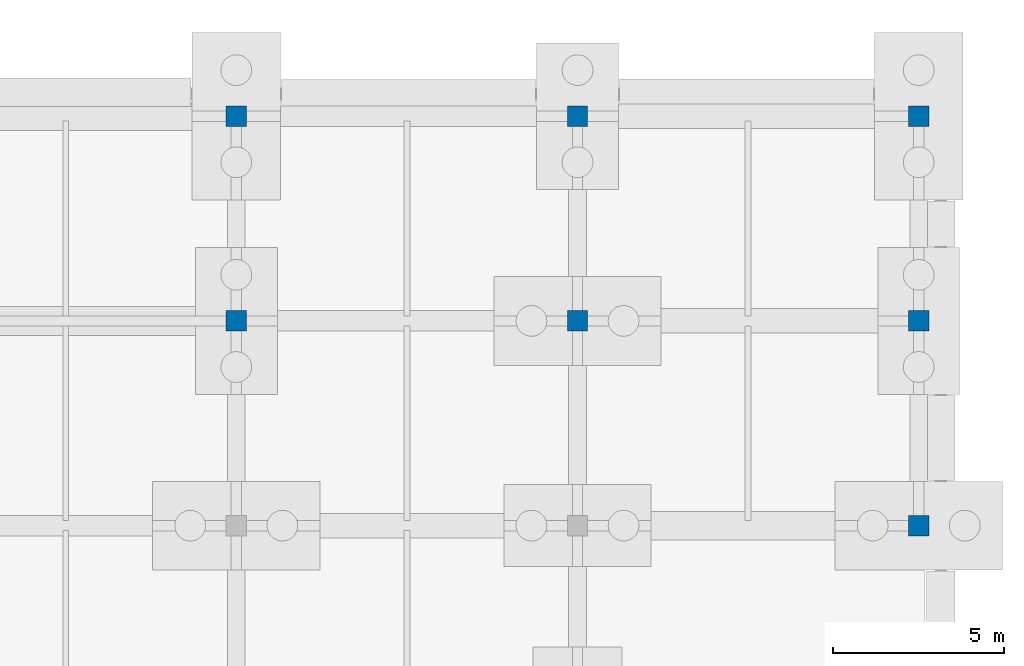
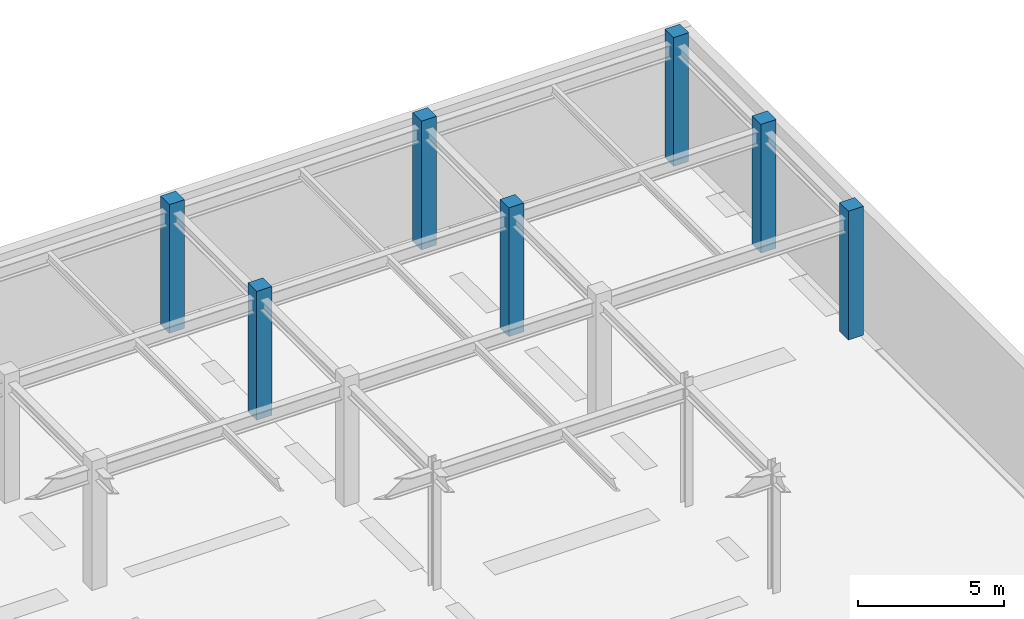
# One storey, part 33 of 65: 7 columns.
"""IFC4 building model written with IfcOpenShell, lengths in metres."""

from ifc_helpers import new_model, si_unit, direction, frame, origin, origin_2d, place, context, subcontext, project, spatial, rectangle, extrude, material, material_profile, profile_set, type_object, element, save


model = new_model("IFC4")

# Units and contexts
model_context = context("Model", 3, precision=1e-05, world=origin(), true_north=direction((0.0, 1.0)))
body_context = subcontext(model_context, "Body", "Model", "MODEL_VIEW")
ifc_project = project(units=[si_unit("LENGTHUNIT", "METRE"), si_unit("AREAUNIT", "SQUARE_METRE"), si_unit("VOLUMEUNIT", "CUBIC_METRE"), si_unit("PLANEANGLEUNIT", "RADIAN"), si_unit("MASSUNIT", "GRAM", prefix="KILO")], contexts=[model_context])

# Site, building, storey
site_placement = place(None, origin())
site = spatial("IfcSite", under=ifc_project, at=site_placement, CompositionType="ELEMENT")
building_placement = place(site_placement, origin())
building = spatial("IfcBuilding", under=site, at=building_placement, Name="Kaldris Quays Convention Centre", CompositionType="ELEMENT")
storey_placement = place(building_placement, frame((0.0, 0.0, -5.39990234375)))
storey = spatial("IfcBuildingStorey", under=building, at=storey_placement, Name="B1", CompositionType="ELEMENT", Elevation=-5.39990234375)

# Columns
ifc_material = material(Name="Concrete C40/50", Category="concrete")
ifc_material_profile = material_profile(ifc_material, rectangle(XDim=0.60009765625, YDim=0.60009765625, at=origin_2d()), Name="RC 600x600")
ifc_profile_set = profile_set([ifc_material_profile], Name="Concrete C40/50")
column_type = type_object("IfcColumnType", Name="STRUCTURAL COLUMN CL15", PredefinedType="COLUMN", material=ifc_profile_set)
for number, where, z_axis, x_axis, name in (
    (1, (184.0, 128.0, 0.0), (0.0, 0.0, 1.0), (1.0, 0.0, 0.0), "B1 V4 Column CL15 (184.00, 128.00)"),
    (2, (184.0, 134.0, 0.0), (0.0, 0.0, 1.0), (1.0, 0.0, 0.0), "B1 V4 Column CL15 (184.00, 134.00)"),
    (3, (194.0, 128.0, 0.0), (0.0, 0.0, 1.0), (1.0, 0.0, 0.0), "B1 V4 Column CL15 (194.00, 128.00)"),
    (4, (194.0, 134.0, 0.0), (0.0, 0.0, 1.0), (1.0, 0.0, 0.0), "B1 V4 Column CL15 (194.00, 134.00)"),
    (5, (204.0, 122.0, 0.0), (0.0, 0.0, 1.0), (1.0, 0.0, 0.0), "B1 V4 Column CL15 (204.00, 122.00)"),
    (6, (204.0, 128.0, 0.0), (0.0, 0.0, 1.0), (1.0, 0.0, 0.0), "B1 V4 Column CL15 (204.00, 128.00)"),
    (7, (204.0, 134.0, 0.0), (0.0, 0.0, 1.0), (1.0, 0.0, 0.0), "B1 V4 Column CL15 (204.00, 134.00)"),
):
    element("IfcColumn", number, at=place(storey_placement, frame(where, z_axis=z_axis, x_axis=x_axis)), inside=storey, type_object=column_type, Name=name, PredefinedType="COLUMN", context=body_context, shape_type="SweptSolid", body=[
        extrude(rectangle(XDim=0.60009765625, YDim=0.60009765625, at=origin_2d()), origin(), (0.0, 0.0, 1.0), 5.39990234375),
    ])

save(model, "model.ifc")
